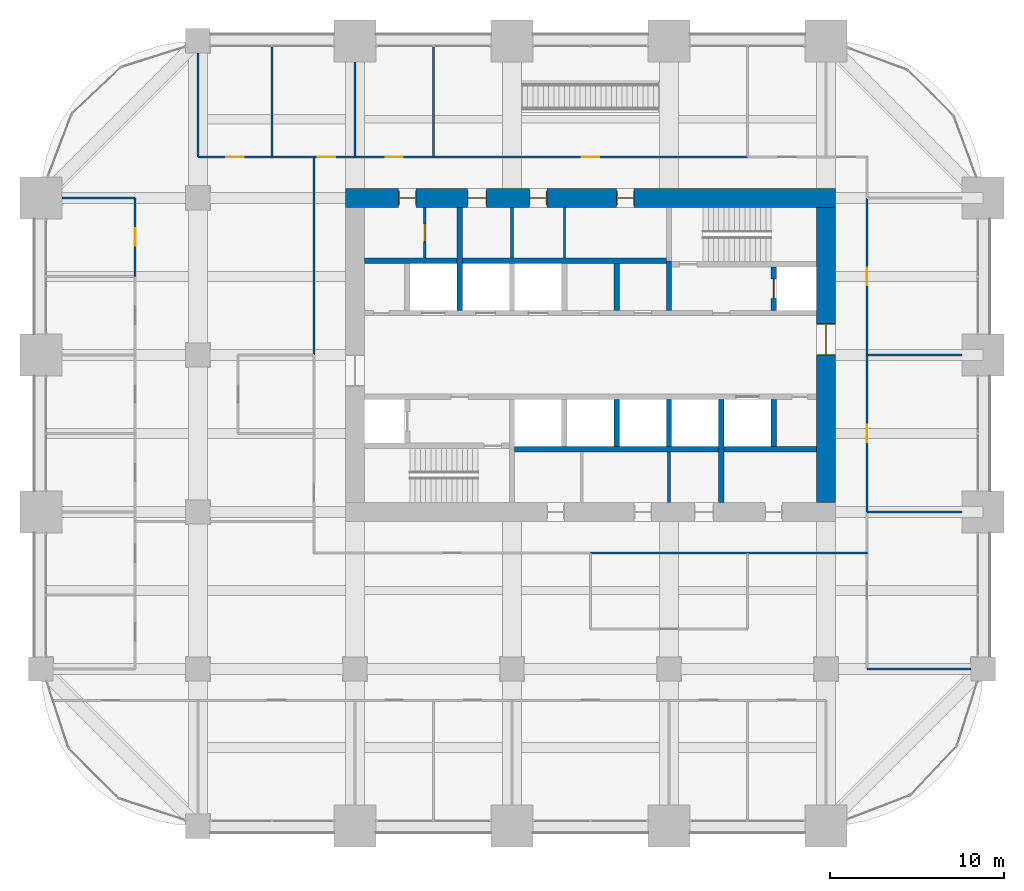
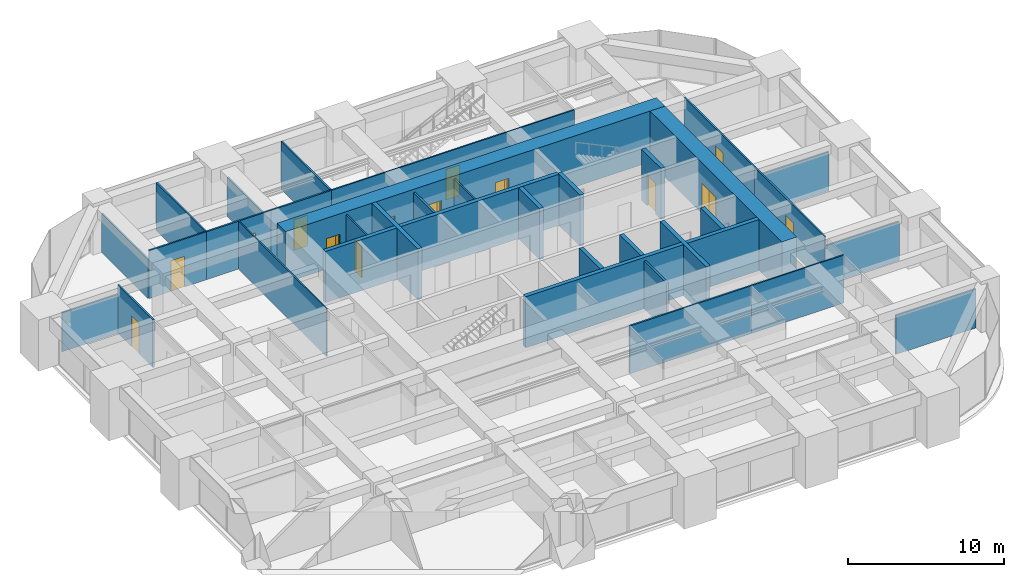
# One storey, part 31 of 34: 34 walls, 14 doors, 14 openings.
"""IFC4 building model written with IfcOpenShell, lengths in metres."""

from ifc_helpers import new_model, si_unit, direction, frame, frame_2d, origin, place, context, subcontext, project, spatial, rectangle, extrude, material, layer, layer_set, type_object, element, fill, save


model = new_model("IFC4")

# Units and contexts
model_context = context("Model", 3, precision=1e-05, world=origin(), true_north=direction((0.0, 1.0)))
body_context = subcontext(model_context, "Body", "Model", "MODEL_VIEW")
ifc_project = project(units=[si_unit("LENGTHUNIT", "METRE"), si_unit("AREAUNIT", "SQUARE_METRE"), si_unit("VOLUMEUNIT", "CUBIC_METRE"), si_unit("PLANEANGLEUNIT", "RADIAN"), si_unit("MASSUNIT", "GRAM", prefix="KILO")], contexts=[model_context])

# Site, building, storey
site_placement = place(None, origin())
site = spatial("IfcSite", under=ifc_project, at=site_placement, CompositionType="ELEMENT")
building_placement = place(site_placement, origin())
building = spatial("IfcBuilding", under=site, at=building_placement, Name="Zorevar Civic Tower", CompositionType="ELEMENT")
storey_placement = place(building_placement, frame((0.0, 0.0, 214.199951171875)))
storey = spatial("IfcBuildingStorey", under=building, at=storey_placement, Name="L52", CompositionType="ELEMENT", Elevation=214.199951171875)

# Wall, openings, doors
ifc_material_1 = material(Name="Concrete C50/60", Category="concrete")
ifc_layer_1 = layer(ifc_material_1, 1.10009765625)
ifc_layer_set_1 = layer_set([ifc_layer_1], Name="Core wall 1100")
wall_type_1 = type_object("IfcWallType", Name="Core wall 1100", PredefinedType="SHEAR", material=ifc_layer_set_1)
wall_1_placement = place(storey_placement, frame((45.550048828125, 36.0, 0.0), z_axis=(0.0, 0.0, 1.0), x_axis=(-1.0, 0.0, 0.0)))
wall_1 = element("IfcWall", 1, at=wall_1_placement, inside=storey, type_object=wall_type_1, Name="Core wall N L52", PredefinedType="SHEAR", context=body_context, shape_type="SweptSolid", body=[
    extrude(rectangle(XDim=28.10009765625, YDim=1.10009765625, at=frame_2d((14.050048828125, 0.0))), origin(), (0.0, 0.0, 1.0), 4.0),
])
opening_1_placement = place(wall_1_placement, frame((11.550048828125, 0.0, 0.0)))
opening_1 = element("IfcOpeningElement", 2, at=opening_1_placement, cuts=wall_1, Name="Opening L52.07", PredefinedType="OPENING", context=body_context, shape_type="SweptSolid", body=[
    extrude(rectangle(XDim=1.0, YDim=2.39990234375, at=frame_2d((0.5, 1.199951171875))), frame((0.0, 0.56005859375, 0.0), z_axis=(0.0, -1.0, 0.0), x_axis=(1.0, 0.0, 0.0)), (0.0, 0.0, 1.0), 1.1201171875),
])
opening_2_placement = place(wall_1_placement, frame((16.550048828125, 0.0, 0.0)))
opening_2 = element("IfcOpeningElement", 3, at=opening_2_placement, cuts=wall_1, Name="Opening L52.08", PredefinedType="OPENING", context=body_context, shape_type="SweptSolid", body=[
    extrude(rectangle(XDim=1.0, YDim=2.39990234375, at=frame_2d((0.5, 1.199951171875))), frame((0.0, 0.56005859375, 0.0), z_axis=(0.0, -1.0, 0.0), x_axis=(1.0, 0.0, 0.0)), (0.0, 0.0, 1.0), 1.1201171875),
])
opening_3_placement = place(wall_1_placement, frame((20.0, 0.0, 0.0)))
opening_3 = element("IfcOpeningElement", 4, at=opening_3_placement, cuts=wall_1, Name="Opening L52.09", PredefinedType="OPENING", context=body_context, shape_type="SweptSolid", body=[
    extrude(rectangle(XDim=1.10009765625, YDim=2.39990234375, at=frame_2d((0.550048828125, 1.199951171875))), frame((0.0, 0.56005859375, 0.0), z_axis=(0.0, -1.0, 0.0), x_axis=(1.0, 0.0, 0.0)), (0.0, 0.0, 1.0), 1.1201171875),
])
opening_4_placement = place(wall_1_placement, frame((24.050048828125, 0.0, 0.0)))
opening_4 = element("IfcOpeningElement", 5, at=opening_4_placement, cuts=wall_1, Name="Opening L52.10", PredefinedType="OPENING", context=body_context, shape_type="SweptSolid", body=[
    extrude(rectangle(XDim=1.0, YDim=2.39990234375, at=frame_2d((0.5, 1.199951171875))), frame((0.0, 0.56005859375, 0.0), z_axis=(0.0, -1.0, 0.0), x_axis=(1.0, 0.0, 0.0)), (0.0, 0.0, 1.0), 1.1201171875),
])
ifc_material_2 = material(Name="Timber door set", Category="wood")
door_type_1 = type_object("IfcDoorType", Name="Door D1 1000x2400", OperationType="SINGLE_SWING_LEFT", PredefinedType="DOOR", material=ifc_material_2)
door_1_placement = place(opening_1_placement, origin())
door_1 = element("IfcDoor", 6, at=door_1_placement, inside=storey, type_object=door_type_1, Name="Door L52 06", OperationType="SINGLE_SWING_RIGHT", OverallHeight=2.39990234375, OverallWidth=1.0, PredefinedType="DOOR", context=body_context, shape_type="SweptSolid", body=[
    extrude(rectangle(XDim=1.0, YDim=2.39990234375, at=frame_2d((0.5, 1.199951171875))), frame((0.0, 0.02490234375, 0.0), z_axis=(0.0, -1.0, 0.0), x_axis=(1.0, 0.0, 0.0)), (0.0, 0.0, 1.0), 0.050048828125),
    extrude(rectangle(XDim=0.04, YDim=2.39990234375, at=frame_2d((0.02001953125, 1.199951171875))), frame((0.0, 0.39990234375, 0.0), z_axis=(0.0, -1.0, 0.0), x_axis=(1.0, 0.0, 0.0)), (0.0, 0.0, 1.0), 0.800048828125),
    extrude(rectangle(XDim=0.04, YDim=2.39990234375, at=frame_2d((0.97998046875, 1.199951171875))), frame((0.0, 0.39990234375, 0.0), z_axis=(0.0, -1.0, 0.0), x_axis=(1.0, 0.0, 0.0)), (0.0, 0.0, 1.0), 0.800048828125),
    extrude(rectangle(XDim=1.0, YDim=0.04, at=frame_2d((0.5, 2.3798828125))), frame((0.0, 0.39990234375, 0.0), z_axis=(0.0, -1.0, 0.0), x_axis=(1.0, 0.0, 0.0)), (0.0, 0.0, 1.0), 0.800048828125),
])
fill(opening_1, door_1)
door_2_placement = place(opening_2_placement, origin())
door_2 = element("IfcDoor", 7, at=door_2_placement, inside=storey, type_object=door_type_1, Name="Door L52 07", OperationType="SINGLE_SWING_LEFT", OverallHeight=2.39990234375, OverallWidth=1.0, PredefinedType="DOOR", context=body_context, shape_type="SweptSolid", body=[
    extrude(rectangle(XDim=1.0, YDim=2.39990234375, at=frame_2d((0.5, 1.199951171875))), frame((0.0, 0.02490234375, 0.0), z_axis=(0.0, -1.0, 0.0), x_axis=(1.0, 0.0, 0.0)), (0.0, 0.0, 1.0), 0.050048828125),
    extrude(rectangle(XDim=0.04, YDim=2.39990234375, at=frame_2d((0.02001953125, 1.199951171875))), frame((0.0, 0.39990234375, 0.0), z_axis=(0.0, -1.0, 0.0), x_axis=(1.0, 0.0, 0.0)), (0.0, 0.0, 1.0), 0.800048828125),
    extrude(rectangle(XDim=0.04, YDim=2.39990234375, at=frame_2d((0.97998046875, 1.199951171875))), frame((0.0, 0.39990234375, 0.0), z_axis=(0.0, -1.0, 0.0), x_axis=(1.0, 0.0, 0.0)), (0.0, 0.0, 1.0), 0.800048828125),
    extrude(rectangle(XDim=1.0, YDim=0.04, at=frame_2d((0.5, 2.3798828125))), frame((0.0, 0.39990234375, 0.0), z_axis=(0.0, -1.0, 0.0), x_axis=(1.0, 0.0, 0.0)), (0.0, 0.0, 1.0), 0.800048828125),
])
fill(opening_2, door_2)
door_3_placement = place(opening_4_placement, origin())
door_3 = element("IfcDoor", 8, at=door_3_placement, inside=storey, type_object=door_type_1, Name="Door L52 09", OperationType="SINGLE_SWING_LEFT", OverallHeight=2.39990234375, OverallWidth=1.0, PredefinedType="DOOR", context=body_context, shape_type="SweptSolid", body=[
    extrude(rectangle(XDim=1.0, YDim=2.39990234375, at=frame_2d((0.5, 1.199951171875))), frame((0.0, 0.02490234375, 0.0), z_axis=(0.0, -1.0, 0.0), x_axis=(1.0, 0.0, 0.0)), (0.0, 0.0, 1.0), 0.050048828125),
    extrude(rectangle(XDim=0.04, YDim=2.39990234375, at=frame_2d((0.02001953125, 1.199951171875))), frame((0.0, 0.39990234375, 0.0), z_axis=(0.0, -1.0, 0.0), x_axis=(1.0, 0.0, 0.0)), (0.0, 0.0, 1.0), 0.800048828125),
    extrude(rectangle(XDim=0.04, YDim=2.39990234375, at=frame_2d((0.97998046875, 1.199951171875))), frame((0.0, 0.39990234375, 0.0), z_axis=(0.0, -1.0, 0.0), x_axis=(1.0, 0.0, 0.0)), (0.0, 0.0, 1.0), 0.800048828125),
    extrude(rectangle(XDim=1.0, YDim=0.04, at=frame_2d((0.5, 2.3798828125))), frame((0.0, 0.39990234375, 0.0), z_axis=(0.0, -1.0, 0.0), x_axis=(1.0, 0.0, 0.0)), (0.0, 0.0, 1.0), 0.800048828125),
])
fill(opening_4, door_3)
ifc_material_3 = material(Name="Timber door set", Category="wood")
door_type_2 = type_object("IfcDoorType", Name="Door D5 1100x2400", OperationType="SINGLE_SWING_LEFT", PredefinedType="DOOR", material=ifc_material_3)
door_4_placement = place(opening_3_placement, origin())
door_4 = element("IfcDoor", 9, at=door_4_placement, inside=storey, type_object=door_type_2, Name="Door L52 08", OperationType="SINGLE_SWING_LEFT", OverallHeight=2.39990234375, OverallWidth=1.10009765625, PredefinedType="DOOR", context=body_context, shape_type="SweptSolid", body=[
    extrude(rectangle(XDim=1.10009765625, YDim=2.39990234375, at=frame_2d((0.550048828125, 1.199951171875))), frame((0.0, 0.02490234375, 0.0), z_axis=(0.0, -1.0, 0.0), x_axis=(1.0, 0.0, 0.0)), (0.0, 0.0, 1.0), 0.050048828125),
    extrude(rectangle(XDim=0.04, YDim=2.39990234375, at=frame_2d((0.02001953125, 1.199951171875))), frame((0.0, 0.43994140625, 0.0), z_axis=(0.0, -1.0, 0.0), x_axis=(1.0, 0.0, 0.0)), (0.0, 0.0, 1.0), 0.880126953125),
    extrude(rectangle(XDim=0.04, YDim=2.39990234375, at=frame_2d((1.080078125, 1.199951171875))), frame((0.0, 0.43994140625, 0.0), z_axis=(0.0, -1.0, 0.0), x_axis=(1.0, 0.0, 0.0)), (0.0, 0.0, 1.0), 0.880126953125),
    extrude(rectangle(XDim=1.10009765625, YDim=0.04, at=frame_2d((0.550048828125, 2.3798828125))), frame((0.0, 0.43994140625, 0.0), z_axis=(0.0, -1.0, 0.0), x_axis=(1.0, 0.0, 0.0)), (0.0, 0.0, 1.0), 0.880126953125),
])
fill(opening_3, door_4)

# Wall, opening, door
wall_2_placement = place(storey_placement, frame((45.0, 18.550048828125, 0.0), z_axis=(0.0, 0.0, 1.0), x_axis=(0.0, 1.0, 0.0)))
wall_2 = element("IfcWall", 10, at=wall_2_placement, inside=storey, type_object=wall_type_1, Name="Core wall E L52", PredefinedType="SHEAR", context=body_context, shape_type="SweptSolid", body=[
    extrude(rectangle(XDim=16.89990234375, YDim=1.10009765625, at=frame_2d((8.449951171875, 0.0))), origin(), (0.0, 0.0, 1.0), 4.0),
])
opening_5_placement = place(wall_2_placement, frame((8.449951171875, 0.0, 0.0)))
opening_5 = element("IfcOpeningElement", 11, at=opening_5_placement, cuts=wall_2, Name="Opening L52.02", PredefinedType="OPENING", context=body_context, shape_type="SweptSolid", body=[
    extrude(rectangle(XDim=1.800048828125, YDim=2.39990234375, at=frame_2d((0.89990234375, 1.199951171875))), frame((0.0, 0.56005859375, 0.0), z_axis=(0.0, -1.0, 0.0), x_axis=(1.0, 0.0, 0.0)), (0.0, 0.0, 1.0), 1.1201171875),
])
ifc_material_4 = material(Name="Steel door set", Category="steel")
door_type_3 = type_object("IfcDoorType", Name="Fire door FD2 1800x2400", OperationType="DOUBLE_DOOR_DOUBLE_SWING", PredefinedType="DOOR", material=ifc_material_4)
door_5_placement = place(opening_5_placement, origin())
door_5 = element("IfcDoor", 12, at=door_5_placement, inside=storey, type_object=door_type_3, Name="Door L52 01", OperationType="DOUBLE_DOOR_DOUBLE_SWING", OverallHeight=2.39990234375, OverallWidth=1.800048828125, PredefinedType="DOOR", context=body_context, shape_type="SweptSolid", body=[
    extrude(rectangle(XDim=1.800048828125, YDim=2.39990234375, at=frame_2d((0.89990234375, 1.199951171875))), frame((0.0, 0.030029296875, 0.0), z_axis=(0.0, -1.0, 0.0), x_axis=(1.0, 0.0, 0.0)), (0.0, 0.0, 1.0), 0.06005859375),
    extrude(rectangle(XDim=0.04, YDim=2.39990234375, at=frame_2d((0.02001953125, 1.199951171875))), frame((0.0, 0.5498046875, 0.0), z_axis=(0.0, -1.0, 0.0), x_axis=(1.0, 0.0, 0.0)), (0.0, 0.0, 1.0), 1.099609375),
    extrude(rectangle(XDim=0.04, YDim=2.39990234375, at=frame_2d((1.780029296875, 1.199951171875))), frame((0.0, 0.5498046875, 0.0), z_axis=(0.0, -1.0, 0.0), x_axis=(1.0, 0.0, 0.0)), (0.0, 0.0, 1.0), 1.099609375),
    extrude(rectangle(XDim=1.800048828125, YDim=0.04, at=frame_2d((0.89990234375, 2.3798828125))), frame((0.0, 0.5498046875, 0.0), z_axis=(0.0, -1.0, 0.0), x_axis=(1.0, 0.0, 0.0)), (0.0, 0.0, 1.0), 1.099609375),
])
fill(opening_5, door_5)

# Wall
ifc_material_5 = material(Name="Laminated glass in black aluminium frame", Category="aluminium")
ifc_layer_2 = layer(ifc_material_5, 0.10009765625)
ifc_layer_set_2 = layer_set([ifc_layer_2], Name="Glazed partition 100")
wall_type_2 = type_object("IfcWallType", Name="Glazed partition 100", PredefinedType="PARTITIONING", material=ifc_layer_set_2)
wall_3_placement = place(storey_placement, frame((40.5, 15.64990234375, 0.0), z_axis=(0.0, 0.0, 1.0), x_axis=(1.0, 0.0, 0.0)))
element("IfcWall", 13, at=wall_3_placement, inside=storey, type_object=wall_type_2, Name="Glazed partition 100 L52", PredefinedType="PARTITIONING", context=body_context, shape_type="SweptSolid", body=[
    extrude(rectangle(XDim=6.85009765625, YDim=0.10009765625, at=frame_2d((3.425048828125, 0.0))), origin(), (0.0, 0.0, 1.0), 3.75),
])

# Wall, opening, door
wall_4_placement = place(storey_placement, frame((22.5, 38.35009765625, 0.0), z_axis=(0.0, 0.0, 1.0), x_axis=(1.0, 0.0, 0.0)))
wall_4 = element("IfcWall", 14, at=wall_4_placement, inside=storey, type_object=wall_type_2, Name="Glazed partition 100 L52", PredefinedType="PARTITIONING", context=body_context, shape_type="SweptSolid", body=[
    extrude(rectangle(XDim=18.0, YDim=0.10009765625, at=frame_2d((9.0, 0.0))), origin(), (0.0, 0.0, 1.0), 3.75),
])
opening_6_placement = place(wall_4_placement, frame((8.5, 0.0, 0.0)))
opening_6 = element("IfcOpeningElement", 15, at=opening_6_placement, cuts=wall_4, Name="Opening L52.30", PredefinedType="OPENING", context=body_context, shape_type="SweptSolid", body=[
    extrude(rectangle(XDim=1.0, YDim=2.39990234375, at=frame_2d((0.5, 1.199951171875))), frame((0.0, 0.06005859375, 0.0), z_axis=(0.0, -1.0, 0.0), x_axis=(1.0, 0.0, 0.0)), (0.0, 0.0, 1.0), 0.1201171875),
])
ifc_material_6 = material(Name="Timber door set", Category="wood")
door_type_4 = type_object("IfcDoorType", Name="Glazed door GD1 1000x2400", OperationType="SINGLE_SWING_LEFT", PredefinedType="DOOR", material=ifc_material_6)
door_6_placement = place(opening_6_placement, origin())
door_6 = element("IfcDoor", 16, at=door_6_placement, inside=storey, type_object=door_type_4, Name="Door L52 D1", OperationType="SINGLE_SWING_RIGHT", OverallHeight=2.39990234375, OverallWidth=1.0, PredefinedType="DOOR", context=body_context, shape_type="SweptSolid", body=[
    extrude(rectangle(XDim=1.0, YDim=2.39990234375, at=frame_2d((0.5, 1.199951171875))), frame((0.0, 0.02001953125, 0.0), z_axis=(0.0, -1.0, 0.0), x_axis=(1.0, 0.0, 0.0)), (0.0, 0.0, 1.0), 0.0400390625),
])
fill(opening_6, door_6)

# Wall
wall_5_placement = place(storey_placement, frame((15.64990234375, 27.0, 0.0), z_axis=(0.0, 0.0, 1.0), x_axis=(0.0, 1.0, 0.0)))
element("IfcWall", 17, at=wall_5_placement, inside=storey, type_object=wall_type_2, Name="Glazed partition 100 L52", PredefinedType="PARTITIONING", context=body_context, shape_type="SweptSolid", body=[
    extrude(rectangle(XDim=11.35009765625, YDim=0.10009765625, at=frame_2d((5.675048828125, 0.0))), origin(), (0.0, 0.0, 1.0), 3.75),
])

# Wall, opening, door
ifc_material_7 = material(Name="Concrete C40/50", Category="concrete")
ifc_layer_3 = layer(ifc_material_7, 0.300048828125)
ifc_layer_set_3 = layer_set([ifc_layer_3], Name="Inner core wall 300")
wall_type_3 = type_object("IfcWallType", Name="Inner core wall 300", PredefinedType="SHEAR", material=ifc_layer_set_3)
wall_6_placement = place(storey_placement, frame((42.0, 29.550048828125, 0.0), z_axis=(0.0, 0.0, 1.0), x_axis=(0.0, 1.0, 0.0)))
wall_6 = element("IfcWall", 18, at=wall_6_placement, inside=storey, type_object=wall_type_3, Name="Inner core wall N02 L52", PredefinedType="SHEAR", context=body_context, shape_type="SweptSolid", body=[
    extrude(rectangle(XDim=2.5, YDim=0.300048828125, at=frame_2d((1.25, 0.0))), origin(), (0.0, 0.0, 1.0), 4.0),
])
opening_7_placement = place(wall_6_placement, frame((0.699951171875, 0.0, 0.0)))
opening_7 = element("IfcOpeningElement", 19, at=opening_7_placement, cuts=wall_6, Name="Opening L52.FL2", PredefinedType="OPENING", context=body_context, shape_type="SweptSolid", body=[
    extrude(rectangle(XDim=1.10009765625, YDim=2.39990234375, at=frame_2d((0.550048828125, 1.199951171875))), frame((0.0, 0.159912109375, 0.0), z_axis=(0.0, -1.0, 0.0), x_axis=(1.0, 0.0, 0.0)), (0.0, 0.0, 1.0), 0.320068359375),
])
ifc_material_8 = material(Name="Steel door set", Category="steel")
door_type_5 = type_object("IfcDoorType", Name="Firefighting lift landing door LD3 1100x2400", OperationType="DOUBLE_DOOR_SLIDING", PredefinedType="DOOR", material=ifc_material_8)
door_7_placement = place(opening_7_placement, origin())
door_7 = element("IfcDoor", 20, at=door_7_placement, inside=storey, type_object=door_type_5, Name="Landing door FL2 L52", OperationType="DOUBLE_DOOR_SLIDING", OverallHeight=2.39990234375, OverallWidth=1.10009765625, PredefinedType="DOOR", context=body_context, shape_type="SweptSolid", body=[
    extrude(rectangle(XDim=1.10009765625, YDim=2.39990234375, at=frame_2d((0.550048828125, 1.199951171875))), frame((0.0, 0.030029296875, 0.0), z_axis=(0.0, -1.0, 0.0), x_axis=(1.0, 0.0, 0.0)), (0.0, 0.0, 1.0), 0.06005859375),
])
fill(opening_7, door_7)

# Walls
for number, where, z_axis, x_axis, name in (
    (21, (27.14990234375, 21.60009765625, 0.0), (0.0, 0.0, 1.0), (1.0, 0.0, 0.0), "Inner core wall S04 L52"),
    (22, (18.550048828125, 32.39990234375, 0.0), (0.0, 0.0, 1.0), (1.0, 0.0, 0.0), "Inner core wall N04 L52"),
):
    element("IfcWall", number, at=place(storey_placement, frame(where, z_axis=z_axis, x_axis=x_axis)), inside=storey, type_object=wall_type_3, Name=name, PredefinedType="SHEAR", context=body_context, shape_type="SweptSolid", body=[
        extrude(rectangle(XDim=17.300048828125, YDim=0.300048828125, at=frame_2d((8.64990234375, 0.0))), origin(), (0.0, 0.0, 1.0), 4.0),
    ])
for number, where, z_axis, x_axis, name in (
    (23, (33.0, 29.550048828125, 0.0), (0.0, 0.0, 1.0), (0.0, 1.0, 0.0), "Inner core wall N05 L52"),
    (24, (33.0, 21.75, 0.0), (0.0, 0.0, 1.0), (0.0, 1.0, 0.0), "Inner core wall S06 L52"),
    (25, (36.0, 21.75, 0.0), (0.0, 0.0, 1.0), (0.0, 1.0, 0.0), "Inner core wall S07 L52"),
):
    element("IfcWall", number, at=place(storey_placement, frame(where, z_axis=z_axis, x_axis=x_axis)), inside=storey, type_object=wall_type_3, Name=name, PredefinedType="SHEAR", context=body_context, shape_type="SweptSolid", body=[
        extrude(rectangle(XDim=2.699951171875, YDim=0.300048828125, at=frame_2d((1.35009765625, 0.0))), origin(), (0.0, 0.0, 1.0), 4.0),
    ])
for number, where, z_axis, x_axis, name in (
    (26, (39.0, 18.550048828125, 0.0), (0.0, 0.0, 1.0), (0.0, 1.0, 0.0), "Inner core wall S08 L52"),
    (27, (24.0, 29.550048828125, 0.0), (0.0, 0.0, 1.0), (0.0, 1.0, 0.0), "Inner core wall N08 L52"),
):
    element("IfcWall", number, at=place(storey_placement, frame(where, z_axis=z_axis, x_axis=x_axis)), inside=storey, type_object=wall_type_3, Name=name, PredefinedType="SHEAR", context=body_context, shape_type="SweptSolid", body=[
        extrude(rectangle(XDim=5.89990234375, YDim=0.300048828125, at=frame_2d((2.949951171875, 0.0))), origin(), (0.0, 0.0, 1.0), 4.0),
    ])
wall_7_placement = place(storey_placement, frame((42.0, 21.75, 0.0), z_axis=(0.0, 0.0, 1.0), x_axis=(0.0, 1.0, 0.0)))
element("IfcWall", 28, at=wall_7_placement, inside=storey, type_object=wall_type_3, Name="Inner core wall S09 L52", PredefinedType="SHEAR", context=body_context, shape_type="SweptSolid", body=[
    extrude(rectangle(XDim=2.699951171875, YDim=0.300048828125, at=frame_2d((1.35009765625, 0.0))), origin(), (0.0, 0.0, 1.0), 4.0),
])
wall_8_placement = place(storey_placement, frame((36.0, 29.550048828125, 0.0), z_axis=(0.0, 0.0, 1.0), x_axis=(0.0, 1.0, 0.0)))
element("IfcWall", 29, at=wall_8_placement, inside=storey, type_object=wall_type_3, Name="Inner core wall N10 L52", PredefinedType="SHEAR", context=body_context, shape_type="SweptSolid", body=[
    extrude(rectangle(XDim=2.849853515625, YDim=0.300048828125, at=frame_2d((1.4248046875, 0.0))), origin(), (0.0, 0.0, 1.0), 4.0),
])
ifc_material_9 = material(Name="Gypsum board on steel studs", Category="steel")
ifc_layer_4 = layer(ifc_material_9, 0.1201171875)
ifc_layer_set_4 = layer_set([ifc_layer_4], Name="Partition 120")
wall_type_4 = type_object("IfcWallType", Name="Partition 120", PredefinedType="PARTITIONING", material=ifc_layer_set_4)
wall_9_placement = place(storey_placement, frame((47.35009765625, 9.0, 0.0), z_axis=(0.0, 0.0, 1.0), x_axis=(1.0, 0.0, 0.0)))
element("IfcWall", 30, at=wall_9_placement, inside=storey, type_object=wall_type_4, Name="Partition 120 L52", PredefinedType="PARTITIONING", context=body_context, shape_type="SweptSolid", body=[
    extrude(rectangle(XDim=5.949951171875, YDim=0.1201171875, at=frame_2d((2.97509765625, 0.0))), origin(), (0.0, 0.0, 1.0), 3.050048828125),
])
wall_10_placement = place(storey_placement, frame((31.5, 15.64990234375, 0.0), z_axis=(0.0, 0.0, 1.0), x_axis=(1.0, 0.0, 0.0)))
element("IfcWall", 31, at=wall_10_placement, inside=storey, type_object=wall_type_4, Name="Partition 120 L52", PredefinedType="PARTITIONING", context=body_context, shape_type="SweptSolid", body=[
    extrude(rectangle(XDim=9.0, YDim=0.1201171875, at=frame_2d((4.5, 0.0))), origin(), (0.0, 0.0, 1.0), 3.75),
])
for number, where, z_axis, x_axis, name in (
    (32, (47.35009765625, 18.0, 0.0), (0.0, 0.0, 1.0), (1.0, 0.0, 0.0), "Partition 120 L52"),
    (33, (47.35009765625, 27.0, 0.0), (0.0, 0.0, 1.0), (1.0, 0.0, 0.0), "Partition 120 L52"),
):
    element("IfcWall", number, at=place(storey_placement, frame(where, z_axis=z_axis, x_axis=x_axis)), inside=storey, type_object=wall_type_4, Name=name, PredefinedType="PARTITIONING", context=body_context, shape_type="SweptSolid", body=[
        extrude(rectangle(XDim=5.449951171875, YDim=0.1201171875, at=frame_2d((2.72509765625, 0.0))), origin(), (0.0, 0.0, 1.0), 3.050048828125),
    ])
wall_11_placement = place(storey_placement, frame((1.199951171875, 36.0, 0.0), z_axis=(0.0, 0.0, 1.0), x_axis=(1.0, 0.0, 0.0)))
element("IfcWall", 34, at=wall_11_placement, inside=storey, type_object=wall_type_4, Name="Partition 120 L52", PredefinedType="PARTITIONING", context=body_context, shape_type="SweptSolid", body=[
    extrude(rectangle(XDim=4.199951171875, YDim=0.1201171875, at=frame_2d((2.10009765625, 0.0))), origin(), (0.0, 0.0, 1.0), 3.050048828125),
])

# Wall, opening, door
wall_12_placement = place(storey_placement, frame((9.0, 38.35009765625, 0.0), z_axis=(0.0, 0.0, 1.0), x_axis=(1.0, 0.0, 0.0)))
wall_12 = element("IfcWall", 35, at=wall_12_placement, inside=storey, type_object=wall_type_4, Name="Partition 120 L52", PredefinedType="PARTITIONING", context=body_context, shape_type="SweptSolid", body=[
    extrude(rectangle(XDim=4.25, YDim=0.1201171875, at=frame_2d((2.125, 0.0))), origin(), (0.0, 0.0, 1.0), 3.75),
])
opening_8_placement = place(wall_12_placement, frame((1.625, 0.0, 0.0)))
opening_8 = element("IfcOpeningElement", 36, at=opening_8_placement, cuts=wall_12, Name="Opening L52.26", PredefinedType="OPENING", context=body_context, shape_type="SweptSolid", body=[
    extrude(rectangle(XDim=1.0, YDim=2.39990234375, at=frame_2d((0.5, 1.199951171875))), frame((0.0, 0.070068359375, 0.0), z_axis=(0.0, -1.0, 0.0), x_axis=(1.0, 0.0, 0.0)), (0.0, 0.0, 1.0), 0.14013671875),
])
door_8_placement = place(opening_8_placement, origin())
door_8 = element("IfcDoor", 37, at=door_8_placement, inside=storey, type_object=door_type_1, Name="Door L52 D1", OperationType="SINGLE_SWING_RIGHT", OverallHeight=2.39990234375, OverallWidth=1.0, PredefinedType="DOOR", context=body_context, shape_type="SweptSolid", body=[
    extrude(rectangle(XDim=1.0, YDim=2.39990234375, at=frame_2d((0.5, 1.199951171875))), frame((0.0, 0.02490234375, 0.0), z_axis=(0.0, -1.0, 0.0), x_axis=(1.0, 0.0, 0.0)), (0.0, 0.0, 1.0), 0.050048828125),
])
fill(opening_8, door_8)

wall_13_placement = place(storey_placement, frame((13.25, 38.35009765625, 0.0), z_axis=(0.0, 0.0, 1.0), x_axis=(1.0, 0.0, 0.0)))
wall_13 = element("IfcWall", 38, at=wall_13_placement, inside=storey, type_object=wall_type_4, Name="Partition 120 L52", PredefinedType="PARTITIONING", context=body_context, shape_type="SweptSolid", body=[
    extrude(rectangle(XDim=4.75, YDim=0.1201171875, at=frame_2d((2.375, 0.0))), origin(), (0.0, 0.0, 1.0), 3.75),
])
opening_9_placement = place(wall_13_placement, frame((2.625, 0.0, 0.0)))
opening_9 = element("IfcOpeningElement", 39, at=opening_9_placement, cuts=wall_13, Name="Opening L52.27", PredefinedType="OPENING", context=body_context, shape_type="SweptSolid", body=[
    extrude(rectangle(XDim=1.0, YDim=2.39990234375, at=frame_2d((0.5, 1.199951171875))), frame((0.0, 0.070068359375, 0.0), z_axis=(0.0, -1.0, 0.0), x_axis=(1.0, 0.0, 0.0)), (0.0, 0.0, 1.0), 0.14013671875),
])
door_9_placement = place(opening_9_placement, origin())
door_9 = element("IfcDoor", 40, at=door_9_placement, inside=storey, type_object=door_type_1, Name="Door L52 D1", OperationType="SINGLE_SWING_LEFT", OverallHeight=2.39990234375, OverallWidth=1.0, PredefinedType="DOOR", context=body_context, shape_type="SweptSolid", body=[
    extrude(rectangle(XDim=1.0, YDim=2.39990234375, at=frame_2d((0.5, 1.199951171875))), frame((0.0, 0.02490234375, 0.0), z_axis=(0.0, -1.0, 0.0), x_axis=(1.0, 0.0, 0.0)), (0.0, 0.0, 1.0), 0.050048828125),
])
fill(opening_9, door_9)

wall_14_placement = place(storey_placement, frame((18.0, 38.35009765625, 0.0), z_axis=(0.0, 0.0, 1.0), x_axis=(1.0, 0.0, 0.0)))
wall_14 = element("IfcWall", 41, at=wall_14_placement, inside=storey, type_object=wall_type_4, Name="Partition 120 L52", PredefinedType="PARTITIONING", context=body_context, shape_type="SweptSolid", body=[
    extrude(rectangle(XDim=4.5, YDim=0.1201171875, at=frame_2d((2.25, 0.0))), origin(), (0.0, 0.0, 1.0), 3.75),
])
opening_10_placement = place(wall_14_placement, frame((1.75, 0.0, 0.0)))
opening_10 = element("IfcOpeningElement", 42, at=opening_10_placement, cuts=wall_14, Name="Opening L52.28", PredefinedType="OPENING", context=body_context, shape_type="SweptSolid", body=[
    extrude(rectangle(XDim=1.0, YDim=2.39990234375, at=frame_2d((0.5, 1.199951171875))), frame((0.0, 0.070068359375, 0.0), z_axis=(0.0, -1.0, 0.0), x_axis=(1.0, 0.0, 0.0)), (0.0, 0.0, 1.0), 0.14013671875),
])
door_10_placement = place(opening_10_placement, origin())
door_10 = element("IfcDoor", 43, at=door_10_placement, inside=storey, type_object=door_type_1, Name="Door L52 D1", OperationType="SINGLE_SWING_RIGHT", OverallHeight=2.39990234375, OverallWidth=1.0, PredefinedType="DOOR", context=body_context, shape_type="SweptSolid", body=[
    extrude(rectangle(XDim=1.0, YDim=2.39990234375, at=frame_2d((0.5, 1.199951171875))), frame((0.0, 0.02490234375, 0.0), z_axis=(0.0, -1.0, 0.0), x_axis=(1.0, 0.0, 0.0)), (0.0, 0.0, 1.0), 0.050048828125),
])
fill(opening_10, door_10)

wall_15_placement = place(storey_placement, frame((5.39990234375, 31.5, 0.0), z_axis=(0.0, 0.0, 1.0), x_axis=(0.0, 1.0, 0.0)))
wall_15 = element("IfcWall", 44, at=wall_15_placement, inside=storey, type_object=wall_type_4, Name="Partition 120 L52", PredefinedType="PARTITIONING", context=body_context, shape_type="SweptSolid", body=[
    extrude(rectangle(XDim=4.5, YDim=0.1201171875, at=frame_2d((2.25, 0.0))), origin(), (0.0, 0.0, 1.0), 3.75),
])
opening_11_placement = place(wall_15_placement, frame((1.75, 0.0, 0.0)))
opening_11 = element("IfcOpeningElement", 45, at=opening_11_placement, cuts=wall_15, Name="Opening L52.37", PredefinedType="OPENING", context=body_context, shape_type="SweptSolid", body=[
    extrude(rectangle(XDim=1.0, YDim=2.39990234375, at=frame_2d((0.5, 1.199951171875))), frame((0.0, 0.070068359375, 0.0), z_axis=(0.0, -1.0, 0.0), x_axis=(1.0, 0.0, 0.0)), (0.0, 0.0, 1.0), 0.14013671875),
])
door_11_placement = place(opening_11_placement, origin())
door_11 = element("IfcDoor", 46, at=door_11_placement, inside=storey, type_object=door_type_1, Name="Door L52 D1", OperationType="SINGLE_SWING_RIGHT", OverallHeight=2.39990234375, OverallWidth=1.0, PredefinedType="DOOR", context=body_context, shape_type="SweptSolid", body=[
    extrude(rectangle(XDim=1.0, YDim=2.39990234375, at=frame_2d((0.5, 1.199951171875))), frame((0.0, 0.02490234375, 0.0), z_axis=(0.0, -1.0, 0.0), x_axis=(1.0, 0.0, 0.0)), (0.0, 0.0, 1.0), 0.050048828125),
])
fill(opening_11, door_11)

# Walls
wall_16_placement = place(storey_placement, frame((9.0, 38.35009765625, 0.0), z_axis=(0.0, 0.0, 1.0), x_axis=(0.0, 1.0, 0.0)))
element("IfcWall", 47, at=wall_16_placement, inside=storey, type_object=wall_type_4, Name="Partition 120 L52", PredefinedType="PARTITIONING", context=body_context, shape_type="SweptSolid", body=[
    extrude(rectangle(XDim=5.949951171875, YDim=0.1201171875, at=frame_2d((2.97509765625, 0.0))), origin(), (0.0, 0.0, 1.0), 3.050048828125),
])
wall_17_placement = place(storey_placement, frame((13.25, 38.35009765625, 0.0), z_axis=(0.0, 0.0, 1.0), x_axis=(0.0, 1.0, 0.0)))
element("IfcWall", 48, at=wall_17_placement, inside=storey, type_object=wall_type_4, Name="Partition 120 L52", PredefinedType="PARTITIONING", context=body_context, shape_type="SweptSolid", body=[
    extrude(rectangle(XDim=6.33984375, YDim=0.1201171875, at=frame_2d((3.169921875, 0.0))), origin(), (0.0, 0.0, 1.0), 3.75),
])
wall_18_placement = place(storey_placement, frame((18.0, 38.35009765625, 0.0), z_axis=(0.0, 0.0, 1.0), x_axis=(0.0, 1.0, 0.0)))
element("IfcWall", 49, at=wall_18_placement, inside=storey, type_object=wall_type_4, Name="Partition 120 L52", PredefinedType="PARTITIONING", context=body_context, shape_type="SweptSolid", body=[
    extrude(rectangle(XDim=5.449951171875, YDim=0.1201171875, at=frame_2d((2.72509765625, 0.0))), origin(), (0.0, 0.0, 1.0), 3.050048828125),
])
wall_19_placement = place(storey_placement, frame((22.5, 38.35009765625, 0.0), z_axis=(0.0, 0.0, 1.0), x_axis=(0.0, 1.0, 0.0)))
element("IfcWall", 50, at=wall_19_placement, inside=storey, type_object=wall_type_4, Name="Partition 120 L52", PredefinedType="PARTITIONING", context=body_context, shape_type="SweptSolid", body=[
    extrude(rectangle(XDim=6.33984375, YDim=0.1201171875, at=frame_2d((3.169921875, 0.0))), origin(), (0.0, 0.0, 1.0), 3.75),
])

# Wall, opening, door
wall_20_placement = place(storey_placement, frame((47.35009765625, 18.0, 0.0), z_axis=(0.0, 0.0, 1.0), x_axis=(0.0, 1.0, 0.0)))
wall_20 = element("IfcWall", 51, at=wall_20_placement, inside=storey, type_object=wall_type_4, Name="Partition 120 L52", PredefinedType="PARTITIONING", context=body_context, shape_type="SweptSolid", body=[
    extrude(rectangle(XDim=9.0, YDim=0.1201171875, at=frame_2d((4.5, 0.0))), origin(), (0.0, 0.0, 1.0), 3.75),
])
opening_12_placement = place(wall_20_placement, frame((4.0, 0.0, 0.0)))
opening_12 = element("IfcOpeningElement", 52, at=opening_12_placement, cuts=wall_20, Name="Opening L52.41", PredefinedType="OPENING", context=body_context, shape_type="SweptSolid", body=[
    extrude(rectangle(XDim=1.0, YDim=2.39990234375, at=frame_2d((0.5, 1.199951171875))), frame((0.0, 0.070068359375, 0.0), z_axis=(0.0, -1.0, 0.0), x_axis=(1.0, 0.0, 0.0)), (0.0, 0.0, 1.0), 0.14013671875),
])
door_12_placement = place(opening_12_placement, origin())
door_12 = element("IfcDoor", 53, at=door_12_placement, inside=storey, type_object=door_type_1, Name="Door L52 D1", OperationType="SINGLE_SWING_RIGHT", OverallHeight=2.39990234375, OverallWidth=1.0, PredefinedType="DOOR", context=body_context, shape_type="SweptSolid", body=[
    extrude(rectangle(XDim=1.0, YDim=2.39990234375, at=frame_2d((0.5, 1.199951171875))), frame((0.0, 0.02490234375, 0.0), z_axis=(0.0, -1.0, 0.0), x_axis=(1.0, 0.0, 0.0)), (0.0, 0.0, 1.0), 0.050048828125),
])
fill(opening_12, door_12)

wall_21_placement = place(storey_placement, frame((47.35009765625, 27.0, 0.0), z_axis=(0.0, 0.0, 1.0), x_axis=(0.0, 1.0, 0.0)))
wall_21 = element("IfcWall", 54, at=wall_21_placement, inside=storey, type_object=wall_type_4, Name="Partition 120 L52", PredefinedType="PARTITIONING", context=body_context, shape_type="SweptSolid", body=[
    extrude(rectangle(XDim=9.0, YDim=0.1201171875, at=frame_2d((4.5, 0.0))), origin(), (0.0, 0.0, 1.0), 3.75),
])
opening_13_placement = place(wall_21_placement, frame((4.0, 0.0, 0.0)))
opening_13 = element("IfcOpeningElement", 55, at=opening_13_placement, cuts=wall_21, Name="Opening L52.42", PredefinedType="OPENING", context=body_context, shape_type="SweptSolid", body=[
    extrude(rectangle(XDim=1.0, YDim=2.39990234375, at=frame_2d((0.5, 1.199951171875))), frame((0.0, 0.070068359375, 0.0), z_axis=(0.0, -1.0, 0.0), x_axis=(1.0, 0.0, 0.0)), (0.0, 0.0, 1.0), 0.14013671875),
])
door_13_placement = place(opening_13_placement, origin())
door_13 = element("IfcDoor", 56, at=door_13_placement, inside=storey, type_object=door_type_1, Name="Door L52 D1", OperationType="SINGLE_SWING_LEFT", OverallHeight=2.39990234375, OverallWidth=1.0, PredefinedType="DOOR", context=body_context, shape_type="SweptSolid", body=[
    extrude(rectangle(XDim=1.0, YDim=2.39990234375, at=frame_2d((0.5, 1.199951171875))), frame((0.0, 0.02490234375, 0.0), z_axis=(0.0, -1.0, 0.0), x_axis=(1.0, 0.0, 0.0)), (0.0, 0.0, 1.0), 0.050048828125),
])
fill(opening_13, door_13)

# Wall
wall_22_placement = place(storey_placement, frame((30.0, 32.550048828125, 0.0), z_axis=(0.0, 0.0, 1.0), x_axis=(0.0, 1.0, 0.0)))
element("IfcWall", 57, at=wall_22_placement, inside=storey, type_object=wall_type_4, Name="Partition L52", PredefinedType="PARTITIONING", context=body_context, shape_type="SweptSolid", body=[
    extrude(rectangle(XDim=2.89990234375, YDim=0.1201171875, at=frame_2d((1.449951171875, 0.0))), origin(), (0.0, 0.0, 1.0), 3.75),
])

# Wall, opening, door
wall_23_placement = place(storey_placement, frame((22.0, 32.550048828125, 0.0), z_axis=(0.0, 0.0, 1.0), x_axis=(0.0, 1.0, 0.0)))
wall_23 = element("IfcWall", 58, at=wall_23_placement, inside=storey, type_object=wall_type_4, Name="Partition L52", PredefinedType="PARTITIONING", context=body_context, shape_type="SweptSolid", body=[
    extrude(rectangle(XDim=2.89990234375, YDim=0.1201171875, at=frame_2d((1.449951171875, 0.0))), origin(), (0.0, 0.0, 1.0), 3.75),
])
opening_14_placement = place(wall_23_placement, frame((0.949951171875, 0.0, 0.0)))
opening_14 = element("IfcOpeningElement", 59, at=opening_14_placement, cuts=wall_23, Name="Opening L52.43", PredefinedType="OPENING", context=body_context, shape_type="SweptSolid", body=[
    extrude(rectangle(XDim=1.0, YDim=2.39990234375, at=frame_2d((0.5, 1.199951171875))), frame((0.0, 0.070068359375, 0.0), z_axis=(0.0, -1.0, 0.0), x_axis=(1.0, 0.0, 0.0)), (0.0, 0.0, 1.0), 0.14013671875),
])
ifc_material_10 = material(Name="Steel door set", Category="steel")
door_type_6 = type_object("IfcDoorType", Name="Fire door FD1 1000x2400", OperationType="SINGLE_SWING_LEFT", PredefinedType="DOOR", material=ifc_material_10)
door_14_placement = place(opening_14_placement, origin())
door_14 = element("IfcDoor", 60, at=door_14_placement, inside=storey, type_object=door_type_6, Name="Door L52 EN", OperationType="SINGLE_SWING_LEFT", OverallHeight=2.39990234375, OverallWidth=1.0, PredefinedType="DOOR", context=body_context, shape_type="SweptSolid", body=[
    extrude(rectangle(XDim=1.0, YDim=2.39990234375, at=frame_2d((0.5, 1.199951171875))), frame((0.0, 0.030029296875, 0.0), z_axis=(0.0, -1.0, 0.0), x_axis=(1.0, 0.0, 0.0)), (0.0, 0.0, 1.0), 0.06005859375),
])
fill(opening_14, door_14)

# Walls
ifc_material_11 = material(Name="Gypsum board on steel studs, moisture resistant", Category="steel")
ifc_layer_5 = layer(ifc_material_11, 0.14990234375)
ifc_layer_set_5 = layer_set([ifc_layer_5], Name="WC partition 150")
wall_type_5 = type_object("IfcWallType", Name="WC partition 150", PredefinedType="PARTITIONING", material=ifc_layer_set_5)
for number, where, z_axis, x_axis, name in (
    (61, (36.0, 18.550048828125, 0.0), (0.0, 0.0, 1.0), (0.0, 1.0, 0.0), "WC partition L52"),
    (62, (27.0, 32.550048828125, 0.0), (0.0, 0.0, 1.0), (0.0, 1.0, 0.0), "WC partition L52"),
):
    element("IfcWall", number, at=place(storey_placement, frame(where, z_axis=z_axis, x_axis=x_axis)), inside=storey, type_object=wall_type_5, Name=name, PredefinedType="PARTITIONING", context=body_context, shape_type="SweptSolid", body=[
        extrude(rectangle(XDim=2.89990234375, YDim=0.14990234375, at=frame_2d((1.449951171875, 0.0))), origin(), (0.0, 0.0, 1.0), 3.75),
    ])

save(model, "model.ifc")
